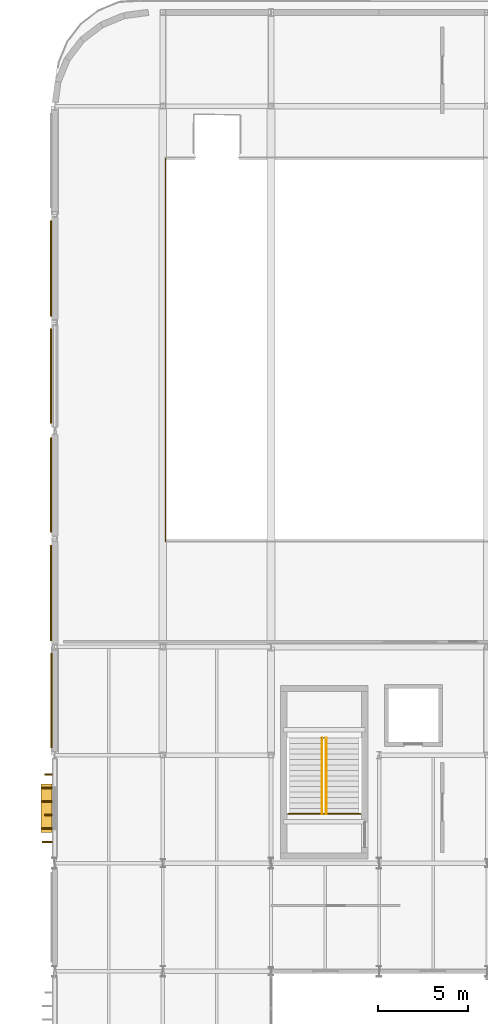
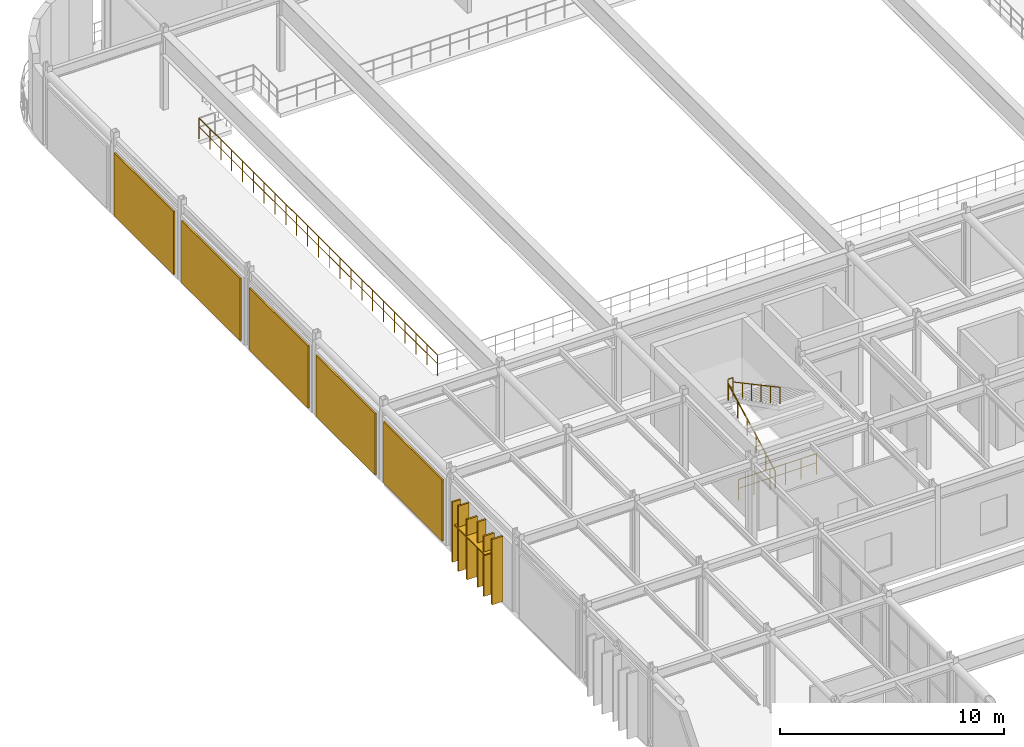
# One storey, part 86 of 96: 6 coverings, 6 shading devices, 5 railings.
"""IFC4 building model written with IfcOpenShell, lengths in metres."""

from ifc_helpers import new_model, si_unit, direction, frame, origin, origin_2d, place, context, subcontext, project, spatial, rectangle, circle, extrude, material, layer, layer_set, type_object, element, save


model = new_model("IFC4")

# Units and contexts
model_context = context("Model", 3, precision=1e-05, world=origin(), true_north=direction((0.0, 1.0)))
body_context = subcontext(model_context, "Body", "Model", "MODEL_VIEW")
ifc_project = project(units=[si_unit("LENGTHUNIT", "METRE"), si_unit("AREAUNIT", "SQUARE_METRE"), si_unit("VOLUMEUNIT", "CUBIC_METRE"), si_unit("PLANEANGLEUNIT", "RADIAN"), si_unit("MASSUNIT", "GRAM", prefix="KILO")], contexts=[model_context])

# Site, building, storey
site_placement = place(None, origin())
site = spatial("IfcSite", under=ifc_project, at=site_placement, CompositionType="ELEMENT")
building_placement = place(site_placement, origin())
building = spatial("IfcBuilding", under=site, at=building_placement, Name="Varnakota Square Police Headquarters", CompositionType="ELEMENT")
storey_placement = place(building_placement, frame((0.0, 0.0, 4.800048828125)))
storey = spatial("IfcBuildingStorey", under=building, at=storey_placement, Name="L01", CompositionType="ELEMENT", Elevation=4.800048828125)

# Coverings
ifc_material_1 = material(Name="White Anodised Aluminium Vertical Facade Blade 420", Category="aluminium")
ifc_layer_1 = layer(ifc_material_1, 0.0849609375, Name="White Anodised Aluminium Vertical Facade Blade 420")
ifc_layer_set_1 = layer_set([ifc_layer_1], Name="White Anodised Aluminium Vertical Facade Blade 420")
covering_type_1 = type_object("IfcCoveringType", Name="COV-FIN-420", PredefinedType="CLADDING", material=ifc_layer_set_1)
covering_1_placement = place(storey_placement, frame((5.64501953125, 65.675048828125, 0.0400390625), z_axis=(0.0, 0.0, 1.0), x_axis=(0.0, 1.0, 0.0)))
element("IfcCovering", 1, at=covering_1_placement, inside=storey, type_object=covering_type_1, Name="Vertical aluminium facade fin FIN-0944", PredefinedType="CLADDING", context=body_context, shape_type="SweptSolid", body=[
    extrude(rectangle(XDim=0.0849609375, YDim=0.419921875, at=origin_2d()), origin(), (0.0, 0.0, 1.0), 3.56005859375),
])
covering_2_placement = place(storey_placement, frame((5.64501953125, 67.925048828125, 0.0400390625), z_axis=(0.0, 0.0, 1.0), x_axis=(0.0, 1.0, 0.0)))
element("IfcCovering", 2, at=covering_2_placement, inside=storey, type_object=covering_type_1, Name="Vertical aluminium facade fin FIN-0947", PredefinedType="CLADDING", context=body_context, shape_type="SweptSolid", body=[
    extrude(rectangle(XDim=0.0849609375, YDim=0.419921875, at=origin_2d()), origin(), (0.0, 0.0, 1.0), 3.280029296875),
])
ifc_material_2 = material(Name="White Anodised Aluminium Vertical Facade Blade 550", Category="aluminium")
ifc_layer_2 = layer(ifc_material_2, 0.0849609375, Name="White Anodised Aluminium Vertical Facade Blade 550")
ifc_layer_set_2 = layer_set([ifc_layer_2], Name="White Anodised Aluminium Vertical Facade Blade 550")
covering_type_2 = type_object("IfcCoveringType", Name="COV-FIN-550", PredefinedType="CLADDING", material=ifc_layer_set_2)
covering_3_placement = place(storey_placement, frame((5.580078125, 64.175048828125, 0.0400390625), z_axis=(0.0, 0.0, 1.0), x_axis=(0.0, 1.0, 0.0)))
element("IfcCovering", 3, at=covering_3_placement, inside=storey, type_object=covering_type_2, Name="Vertical aluminium facade fin FIN-0942", PredefinedType="CLADDING", context=body_context, shape_type="SweptSolid", body=[
    extrude(rectangle(XDim=0.0849609375, YDim=0.550048828125, at=origin_2d()), origin(), (0.0, 0.0, 1.0), 3.56005859375),
])
for number, where, z_axis, x_axis, name in (
    (4, (5.580078125, 64.925048828125, 0.0400390625), (0.0, 0.0, 1.0), (0.0, 1.0, 0.0), "Vertical aluminium facade fin FIN-0943"),
    (5, (5.580078125, 66.425048828125, 0.0400390625), (0.0, 0.0, 1.0), (0.0, 1.0, 0.0), "Vertical aluminium facade fin FIN-0945"),
):
    element("IfcCovering", number, at=place(storey_placement, frame(where, z_axis=z_axis, x_axis=x_axis)), inside=storey, type_object=covering_type_2, Name=name, PredefinedType="CLADDING", context=body_context, shape_type="SweptSolid", body=[
        extrude(rectangle(XDim=0.0849609375, YDim=0.550048828125, at=origin_2d()), origin(), (0.0, 0.0, 1.0), 3.280029296875),
    ])
covering_4_placement = place(storey_placement, frame((5.580078125, 67.175048828125, 0.0400390625), z_axis=(0.0, 0.0, 1.0), x_axis=(0.0, 1.0, 0.0)))
element("IfcCovering", 6, at=covering_4_placement, inside=storey, type_object=covering_type_2, Name="Vertical aluminium facade fin FIN-0946", PredefinedType="CLADDING", context=body_context, shape_type="SweptSolid", body=[
    extrude(rectangle(XDim=0.0849609375, YDim=0.550048828125, at=origin_2d()), origin(), (0.0, 0.0, 1.0), 3.56005859375),
])

# Railings
ifc_material_3 = material(Name="Brushed Stainless Steel Tubular Handrail", Category="steel")
railing_type_1 = type_object("IfcRailingType", Name="RL-HND-920", PredefinedType="HANDRAIL", material=ifc_material_3)
railing_1_placement = place(storey_placement, frame((20.830078125, 65.75, 0.0)))
element("IfcRailing", 7, at=railing_1_placement, inside=storey, type_object=railing_type_1, Name="Stair flight handrail HR-L01-057", PredefinedType="HANDRAIL", context=body_context, shape_type="SweptSolid", body=[
    extrude(circle(Radius=0.02392578125, at=origin_2d()), frame((0.0, 0.0, 0.89599609375), z_axis=(0.0, 0.881511956786, 0.472161699043), x_axis=(-1.0, 0.0, 0.0)), (0.0, 0.0, 1.0), 4.765380859375),
    extrude(circle(Radius=0.02099609375, at=origin_2d()), origin(), (0.0, 0.0, 1.0), 0.871826171875),
    extrude(circle(Radius=0.02099609375, at=origin_2d()), frame((0.0, 0.840087890625, 0.449951171875)), (0.0, 0.0, 1.0), 0.871826171875),
    extrude(circle(Radius=0.02099609375, at=origin_2d()), frame((0.0, 1.68017578125, 0.89990234375)), (0.0, 0.0, 1.0), 0.871826171875),
    extrude(circle(Radius=0.02099609375, at=origin_2d()), frame((0.0, 2.5205078125, 1.35009765625)), (0.0, 0.0, 1.0), 0.871826171875),
    extrude(circle(Radius=0.02099609375, at=origin_2d()), frame((0.0, 3.360595703125, 1.800048828125)), (0.0, 0.0, 1.0), 0.871826171875),
    extrude(circle(Radius=0.02099609375, at=origin_2d()), frame((0.0, 4.20068359375, 2.25)), (0.0, 0.0, 1.0), 0.871826171875),
])
railing_2_placement = place(storey_placement, frame((21.070068359375, 69.95068359375, 2.25)))
element("IfcRailing", 8, at=railing_2_placement, inside=storey, type_object=railing_type_1, Name="Stair flight handrail HR-L01-058", PredefinedType="HANDRAIL", context=body_context, shape_type="SweptSolid", body=[
    extrude(circle(Radius=0.02392578125, at=origin_2d()), frame((0.0, 0.0, 0.89599609375), z_axis=(0.0, -0.881511956786, 0.472161699043), x_axis=(1.0, 0.0, 0.0)), (0.0, 0.0, 1.0), 4.765380859375),
    extrude(circle(Radius=0.02099609375, at=origin_2d()), origin(), (0.0, 0.0, 1.0), 0.871826171875),
    extrude(circle(Radius=0.02099609375, at=origin_2d()), frame((0.0, -0.840087890625, 0.449951171875)), (0.0, 0.0, 1.0), 0.871826171875),
    extrude(circle(Radius=0.02099609375, at=origin_2d()), frame((0.0, -1.68017578125, 0.89990234375)), (0.0, 0.0, 1.0), 0.871826171875),
    extrude(circle(Radius=0.02099609375, at=origin_2d()), frame((0.0, -2.5205078125, 1.35009765625)), (0.0, 0.0, 1.0), 0.871826171875),
    extrude(circle(Radius=0.02099609375, at=origin_2d()), frame((0.0, -3.360595703125, 1.800048828125)), (0.0, 0.0, 1.0), 0.871826171875),
    extrude(circle(Radius=0.02099609375, at=origin_2d()), frame((0.0, -4.20068359375, 2.25)), (0.0, 0.0, 1.0), 0.871826171875),
])
ifc_material_4 = material(Name="Laminated Glass and Stainless Steel Balustrade", Category="steel")
railing_type_2 = type_object("IfcRailingType", Name="RL-INT-1150", PredefinedType="BALUSTRADE", material=ifc_material_4)
railing_3_placement = place(storey_placement, frame((18.93994140625, 65.75, 0.0)))
element("IfcRailing", 9, at=railing_3_placement, inside=storey, type_object=railing_type_2, Name="Stair well safety guard C5 L01", PredefinedType="BALUSTRADE", context=body_context, shape_type="SweptSolid", body=[
    extrude(circle(Radius=0.02392578125, at=origin_2d()), frame((0.0, 0.0, 1.1259765625), z_axis=(1.0, 0.0, 0.0), x_axis=(0.0, 1.0, 0.0)), (0.0, 0.0, 1.0), 4.02001953125),
    extrude(circle(Radius=0.01806640625, at=origin_2d()), frame((0.0, 0.0, 0.63232421875), z_axis=(1.0, 0.0, 0.0), x_axis=(0.0, 1.0, 0.0)), (0.0, 0.0, 1.0), 4.02001953125),
    extrude(circle(Radius=0.02099609375, at=origin_2d()), origin(), (0.0, 0.0, 1.0), 1.101806640625),
    extrude(circle(Radius=0.02099609375, at=origin_2d()), frame((0.803955078125, 0.0, 0.0)), (0.0, 0.0, 1.0), 1.101806640625),
    extrude(circle(Radius=0.02099609375, at=origin_2d()), frame((1.60791015625, 0.0, 0.0)), (0.0, 0.0, 1.0), 1.101806640625),
    extrude(circle(Radius=0.02099609375, at=origin_2d()), frame((2.412109375, 0.0, 0.0)), (0.0, 0.0, 1.0), 1.101806640625),
    extrude(circle(Radius=0.02099609375, at=origin_2d()), frame((3.216064453125, 0.0, 0.0)), (0.0, 0.0, 1.0), 1.101806640625),
    extrude(circle(Radius=0.02099609375, at=origin_2d()), frame((4.02001953125, 0.0, 0.0)), (0.0, 0.0, 1.0), 1.101806640625),
])
railing_4_placement = place(storey_placement, frame((20.820068359375, 69.95068359375, 2.25)))
element("IfcRailing", 10, at=railing_4_placement, inside=storey, type_object=railing_type_2, Name="Half-landing well guard C5 L01", PredefinedType="BALUSTRADE", context=body_context, shape_type="SweptSolid", body=[
    extrude(circle(Radius=0.02392578125, at=origin_2d()), frame((0.0, 0.0, 1.1259765625), z_axis=(1.0, 0.0, 0.0), x_axis=(0.0, 1.0, 0.0)), (0.0, 0.0, 1.0), 0.260009765625),
    extrude(circle(Radius=0.01806640625, at=origin_2d()), frame((0.0, 0.0, 0.63232421875), z_axis=(1.0, 0.0, 0.0), x_axis=(0.0, 1.0, 0.0)), (0.0, 0.0, 1.0), 0.260009765625),
    extrude(circle(Radius=0.02099609375, at=origin_2d()), origin(), (0.0, 0.0, 1.0), 1.101806640625),
    extrude(circle(Radius=0.02099609375, at=origin_2d()), frame((0.260009765625, 0.0, 0.0)), (0.0, 0.0, 1.0), 1.101806640625),
])
railing_5_placement = place(storey_placement, frame((12.14990234375, 102.14990234375, 0.0)))
element("IfcRailing", 11, at=railing_5_placement, inside=storey, type_object=railing_type_2, Name="Auditorium and range gallery balustrade", PredefinedType="BALUSTRADE", context=body_context, shape_type="SweptSolid", body=[
    extrude(circle(Radius=0.02392578125, at=origin_2d()), frame((0.0, 0.0, 1.1259765625), z_axis=(0.0, -1.0, 0.0), x_axis=(1.0, 0.0, 0.0)), (0.0, 0.0, 1.0), 21.2998046875),
    extrude(circle(Radius=0.01806640625, at=origin_2d()), frame((0.0, 0.0, 0.63232421875), z_axis=(0.0, -1.0, 0.0), x_axis=(1.0, 0.0, 0.0)), (0.0, 0.0, 1.0), 21.2998046875),
    extrude(circle(Radius=0.02099609375, at=origin_2d()), origin(), (0.0, 0.0, 1.0), 1.101806640625),
    extrude(circle(Radius=0.02099609375, at=origin_2d()), frame((0.0, -0.96826171875, 0.0)), (0.0, 0.0, 1.0), 1.101806640625),
    extrude(circle(Radius=0.02099609375, at=origin_2d()), frame((0.0, -1.936279296875, 0.0)), (0.0, 0.0, 1.0), 1.101806640625),
    extrude(circle(Radius=0.02099609375, at=origin_2d()), frame((0.0, -2.904541015625, 0.0)), (0.0, 0.0, 1.0), 1.101806640625),
    extrude(circle(Radius=0.02099609375, at=origin_2d()), frame((0.0, -3.872802734375, 0.0)), (0.0, 0.0, 1.0), 1.101806640625),
    extrude(circle(Radius=0.02099609375, at=origin_2d()), frame((0.0, -4.8408203125, 0.0)), (0.0, 0.0, 1.0), 1.101806640625),
    extrude(circle(Radius=0.02099609375, at=origin_2d()), frame((0.0, -5.80908203125, 0.0)), (0.0, 0.0, 1.0), 1.101806640625),
    extrude(circle(Radius=0.02099609375, at=origin_2d()), frame((0.0, -6.777099609375, 0.0)), (0.0, 0.0, 1.0), 1.101806640625),
    extrude(circle(Radius=0.02099609375, at=origin_2d()), frame((0.0, -7.745361328125, 0.0)), (0.0, 0.0, 1.0), 1.101806640625),
    extrude(circle(Radius=0.02099609375, at=origin_2d()), frame((0.0, -8.713623046875, 0.0)), (0.0, 0.0, 1.0), 1.101806640625),
    extrude(circle(Radius=0.02099609375, at=origin_2d()), frame((0.0, -9.681640625, 0.0)), (0.0, 0.0, 1.0), 1.101806640625),
    extrude(circle(Radius=0.02099609375, at=origin_2d()), frame((0.0, -10.64990234375, 0.0)), (0.0, 0.0, 1.0), 1.101806640625),
    extrude(circle(Radius=0.02099609375, at=origin_2d()), frame((0.0, -11.6181640625, 0.0)), (0.0, 0.0, 1.0), 1.101806640625),
    extrude(circle(Radius=0.02099609375, at=origin_2d()), frame((0.0, -12.586181640625, 0.0)), (0.0, 0.0, 1.0), 1.101806640625),
    extrude(circle(Radius=0.02099609375, at=origin_2d()), frame((0.0, -13.554443359375, 0.0)), (0.0, 0.0, 1.0), 1.101806640625),
    extrude(circle(Radius=0.02099609375, at=origin_2d()), frame((0.0, -14.522705078125, 0.0)), (0.0, 0.0, 1.0), 1.101806640625),
    extrude(circle(Radius=0.02099609375, at=origin_2d()), frame((0.0, -15.49072265625, 0.0)), (0.0, 0.0, 1.0), 1.101806640625),
    extrude(circle(Radius=0.02099609375, at=origin_2d()), frame((0.0, -16.458984375, 0.0)), (0.0, 0.0, 1.0), 1.101806640625),
    extrude(circle(Radius=0.02099609375, at=origin_2d()), frame((0.0, -17.427001953125, 0.0)), (0.0, 0.0, 1.0), 1.101806640625),
    extrude(circle(Radius=0.02099609375, at=origin_2d()), frame((0.0, -18.395263671875, 0.0)), (0.0, 0.0, 1.0), 1.101806640625),
    extrude(circle(Radius=0.02099609375, at=origin_2d()), frame((0.0, -19.363525390625, 0.0)), (0.0, 0.0, 1.0), 1.101806640625),
    extrude(circle(Radius=0.02099609375, at=origin_2d()), frame((0.0, -20.33154296875, 0.0)), (0.0, 0.0, 1.0), 1.101806640625),
    extrude(circle(Radius=0.02099609375, at=origin_2d()), frame((0.0, -21.2998046875, 0.0)), (0.0, 0.0, 1.0), 1.101806640625),
])

# Shading devices
ifc_material_5 = material(Name="Anodised Aluminium Horizontal Brise-Soleil", Category="aluminium")
ifc_layer_3 = layer(ifc_material_5, 0.06005859375, Name="Anodised Aluminium Horizontal Brise-Soleil")
ifc_layer_set_3 = layer_set([ifc_layer_3], Name="Anodised Aluminium Horizontal Brise-Soleil")
shading_device_type_1 = type_object("IfcShadingDeviceType", Name="SHD-JAL-600", PredefinedType="JALOUSIE", material=ifc_layer_set_3)
shading_device_1_placement = place(storey_placement, frame((5.552001953125, 66.050048828125, 2.39990234375), z_axis=(0.0, 0.0, 1.0), x_axis=(0.0, 1.0, 0.0)))
element("IfcShadingDevice", 12, at=shading_device_1_placement, inside=storey, type_object=shading_device_type_1, Name="Horizontal sunshade SHD-047", PredefinedType="JALOUSIE", context=body_context, shape_type="SweptSolid", body=[
    extrude(rectangle(XDim=2.699951171875, YDim=0.60009765625, at=origin_2d()), origin(), (0.0, 0.0, 1.0), 0.06005859375),
])
ifc_material_6 = material(Name="Perforated Sandstone-Toned GRC Jali Screen", Category="masonry")
ifc_layer_4 = layer(ifc_material_6, 0.080078125, Name="Perforated Sandstone-Toned GRC Jali Screen")
ifc_layer_set_4 = layer_set([ifc_layer_4], Name="Perforated Sandstone-Toned GRC Jali Screen")
shading_device_type_2 = type_object("IfcShadingDeviceType", Name="SHD-SCR-GRC", PredefinedType="USERDEFINED", material=ifc_layer_set_4)
shading_device_2_placement = place(storey_placement, frame((5.81201171875, 72.02490234375, 0.14990234375), z_axis=(0.0, 0.0, 1.0), x_axis=(0.0, 1.0, 0.0)))
element("IfcShadingDevice", 13, at=shading_device_2_placement, inside=storey, type_object=shading_device_type_2, Name="Perforated GRC solar screen SCR-008", ObjectType="SOLAR SCREEN", PredefinedType="USERDEFINED", context=body_context, shape_type="SweptSolid", body=[
    extrude(rectangle(XDim=5.241943359375, YDim=0.080078125, at=origin_2d()), origin(), (0.0, 0.0, 1.0), 3.340087890625),
])
shading_device_3_placement = place(storey_placement, frame((5.7919921875, 78.0, 0.14990234375), z_axis=(0.0, 0.0, 1.0), x_axis=(0.0, 1.0, 0.0)))
element("IfcShadingDevice", 14, at=shading_device_3_placement, inside=storey, type_object=shading_device_type_2, Name="Perforated GRC solar screen SCR-028", ObjectType="SOLAR SCREEN", PredefinedType="USERDEFINED", context=body_context, shape_type="SweptSolid", body=[
    extrude(rectangle(XDim=5.2919921875, YDim=0.080078125, at=origin_2d()), origin(), (0.0, 0.0, 1.0), 3.340087890625),
])
for number, where, z_axis, x_axis, name in (
    (15, (5.7919921875, 83.97509765625, 0.14990234375), (0.0, 0.0, 1.0), (0.0, 1.0, 0.0), "Perforated GRC solar screen SCR-029"),
    (16, (5.7919921875, 90.02490234375, 0.14990234375), (0.0, 0.0, 1.0), (0.0, 1.0, 0.0), "Perforated GRC solar screen SCR-030"),
):
    element("IfcShadingDevice", number, at=place(storey_placement, frame(where, z_axis=z_axis, x_axis=x_axis)), inside=storey, type_object=shading_device_type_2, Name=name, ObjectType="SOLAR SCREEN", PredefinedType="USERDEFINED", context=body_context, shape_type="SweptSolid", body=[
        extrude(rectangle(XDim=5.241943359375, YDim=0.080078125, at=origin_2d()), origin(), (0.0, 0.0, 1.0), 3.389892578125),
    ])
shading_device_4_placement = place(storey_placement, frame((5.7919921875, 96.0, 0.14990234375), z_axis=(0.0, 0.0, 1.0), x_axis=(0.0, 1.0, 0.0)))
element("IfcShadingDevice", 17, at=shading_device_4_placement, inside=storey, type_object=shading_device_type_2, Name="Perforated GRC solar screen SCR-031", ObjectType="SOLAR SCREEN", PredefinedType="USERDEFINED", context=body_context, shape_type="SweptSolid", body=[
    extrude(rectangle(XDim=5.2919921875, YDim=0.080078125, at=origin_2d()), origin(), (0.0, 0.0, 1.0), 3.43994140625),
])

save(model, "model.ifc")
